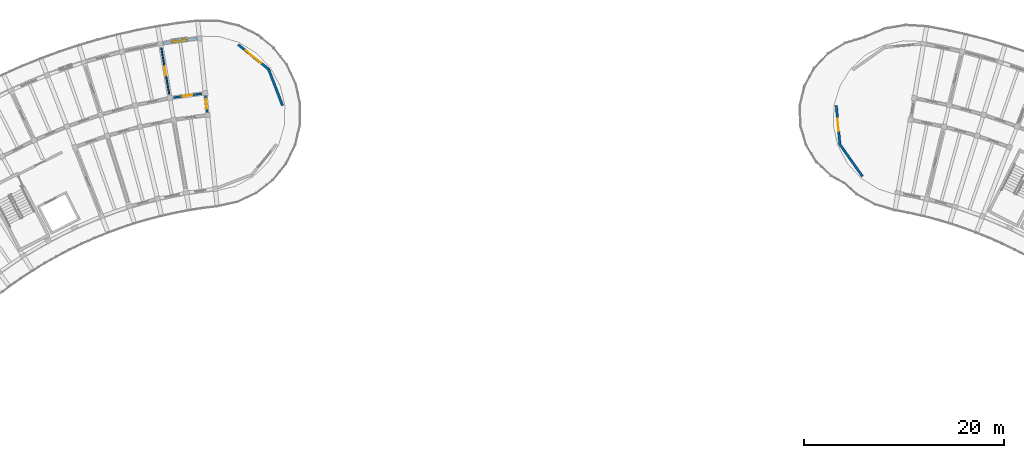
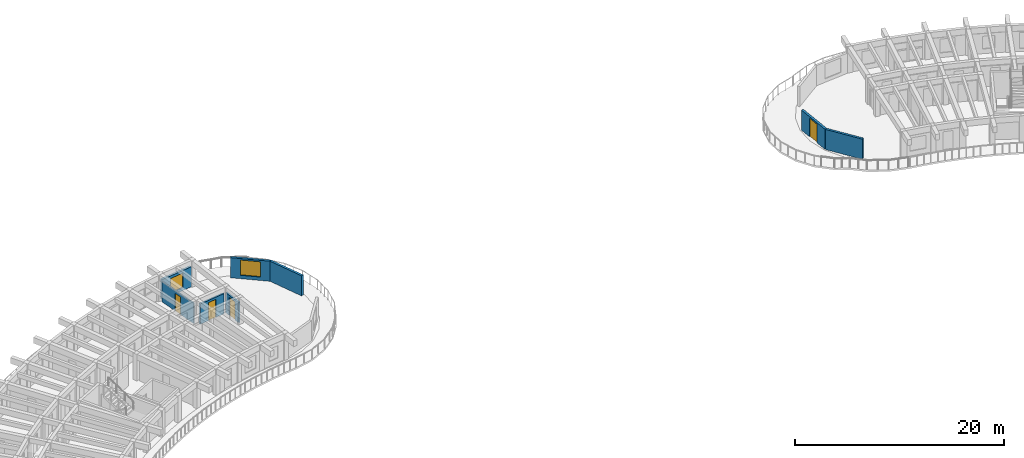
# One storey, part 50 of 83: 8 walls, 4 doors, 2 windows, 6 openings.
"""IFC4 building model written with IfcOpenShell, lengths in metres."""

from ifc_helpers import new_model, si_unit, direction, frame, frame_2d, origin, place, context, subcontext, project, spatial, rectangle, extrude, material, layer, layer_set, type_object, element, fill, save


model = new_model("IFC4")

# Units and contexts
model_context = context("Model", 3, precision=1e-05, world=origin(), true_north=direction((0.0, 1.0)))
body_context = subcontext(model_context, "Body", "Model", "MODEL_VIEW")
ifc_project = project(units=[si_unit("LENGTHUNIT", "METRE"), si_unit("AREAUNIT", "SQUARE_METRE"), si_unit("VOLUMEUNIT", "CUBIC_METRE"), si_unit("PLANEANGLEUNIT", "RADIAN"), si_unit("MASSUNIT", "GRAM", prefix="KILO")], contexts=[model_context])

# Site, building, storey
site_placement = place(None, origin())
site = spatial("IfcSite", under=ifc_project, at=site_placement, CompositionType="ELEMENT")
building_placement = place(site_placement, origin())
building = spatial("IfcBuilding", under=site, at=building_placement, Name="Tanwirah Colonnade Gardens", CompositionType="ELEMENT")
storey_placement = place(building_placement, frame((0.0, 0.0, 25.639892578125)))
storey = spatial("IfcBuildingStorey", under=building, at=storey_placement, Name="L07", CompositionType="ELEMENT", Elevation=25.639892578125)

# Wall
ifc_material_1 = material(Name="Limestone architectural precast concrete C40/50", Category="masonry")
ifc_layer_1 = layer(ifc_material_1, 0.239990234375)
ifc_layer_set_1 = layer_set([ifc_layer_1], Name="Limestone architectural precast concrete C40/50")
wall_type_1 = type_object("IfcWallType", Name="EW-PC240", PredefinedType="SOLIDWALL", material=ifc_layer_set_1)
wall_1_placement = place(storey_placement, frame((125.00048828125, 105.642333984375, 0.0), z_axis=(0.0, 0.0, 1.0), x_axis=(-0.576773939634, 0.816903802512, 0.0)))
element("IfcWall", 1, at=wall_1_placement, inside=storey, type_object=wall_type_1, Name="Block B L07 END Rounded End Wall 1", PredefinedType="SOLIDWALL", context=body_context, shape_type="SweptSolid", body=[
    extrude(rectangle(XDim=3.908203125, YDim=0.239990234375, at=frame_2d((1.9541015625, 0.0))), origin(), (0.0, 0.0, 1.0), 2.355224609375),
])

# Wall, opening, door
wall_2_placement = place(storey_placement, frame((122.746337890625, 108.8349609375, 0.0), z_axis=(0.0, 0.0, 1.0), x_axis=(-0.091020141047, 0.995849051776, 0.0)))
wall_2 = element("IfcWall", 2, at=wall_2_placement, inside=storey, type_object=wall_type_1, Name="Block B L07 END Rounded End Wall 2", PredefinedType="SOLIDWALL", context=body_context, shape_type="SweptSolid", body=[
    extrude(rectangle(XDim=3.907958984375, YDim=0.239990234375, at=frame_2d((1.9541015625, 0.0))), origin(), (0.0, 0.0, 1.0), 2.355224609375),
])
opening_1_placement = place(wall_2_placement, frame((1.32421875, 0.0, 0.0)))
opening_1 = element("IfcOpeningElement", 3, at=opening_1_placement, cuts=wall_2, Name="Opening L07-ED103", PredefinedType="OPENING", context=body_context, shape_type="SweptSolid", body=[
    extrude(rectangle(XDim=1.260009765625, YDim=2.179931640625, at=frame_2d((0.6298828125, 1.08984375))), frame((0.0, 0.1298828125, 0.0), z_axis=(0.0, -1.0, 0.0), x_axis=(1.0, 0.0, 0.0)), (0.0, 0.0, 1.0), 0.260009765625),
])
ifc_material_2 = material(Name="Bronze aluminium glazed terrace door", Category="aluminium")
door_type_1 = type_object("IfcDoorType", Name="ED-TER126", OperationType="NOTDEFINED", PredefinedType="DOOR", material=ifc_material_2)
door_1_placement = place(opening_1_placement, origin())
door_1 = element("IfcDoor", 4, at=door_1_placement, inside=storey, type_object=door_type_1, Name="Stepped corner terrace door L07-ED103", OperationType="SINGLE_SWING_LEFT", OverallHeight=2.179931640625, OverallWidth=1.260009765625, PredefinedType="DOOR", context=body_context, shape_type="SweptSolid", body=[
    extrude(rectangle(XDim=1.260009765625, YDim=2.179931640625, at=frame_2d((0.6298828125, 1.08984375))), frame((0.0, 0.02490234375, 0.0), z_axis=(0.0, -1.0, 0.0), x_axis=(1.0, 0.0, 0.0)), (0.0, 0.0, 1.0), 0.050048828125),
])
fill(opening_1, door_1)

# Wall, opening, window
ifc_layer_2 = layer(ifc_material_1, 0.2451171875)
ifc_layer_set_2 = layer_set([ifc_layer_2], Name="Limestone architectural precast concrete C40/50")
wall_type_2 = type_object("IfcWallType", Name="EW-PC245", PredefinedType="SOLIDWALL", material=ifc_layer_set_2)
wall_3_placement = place(storey_placement, frame((58.557373046875, 119.3935546875, 0.0), z_axis=(0.0, 0.0, 1.0), x_axis=(-0.990539646188, -0.137226853528, 0.0)))
wall_3 = element("IfcWall", 5, at=wall_3_placement, inside=storey, type_object=wall_type_2, Name="Block A L07 OUT Precast Facade Wall 0", PredefinedType="SOLIDWALL", context=body_context, shape_type="SweptSolid", body=[
    extrude(rectangle(XDim=3.545654296875, YDim=0.2451171875, at=frame_2d((1.77294921875, 0.0))), origin(), (0.0, 0.0, 1.0), 2.355224609375),
])
opening_2_placement = place(wall_3_placement, frame((1.022705078125, 0.0, 0.35009765625)))
opening_2 = element("IfcOpeningElement", 6, at=opening_2_placement, cuts=wall_3, Name="Opening WIN-T08", PredefinedType="OPENING", context=body_context, shape_type="SweptSolid", body=[
    extrude(rectangle(XDim=1.5, YDim=1.699951171875, at=frame_2d((0.75, 0.85009765625))), frame((0.0, 0.132568359375, 0.0), z_axis=(0.0, -1.0, 0.0), x_axis=(1.0, 0.0, 0.0)), (0.0, 0.0, 1.0), 0.26513671875),
])
ifc_material_3 = material(Name="Thermally broken bronze aluminium and solar low-E double glazing", Category="aluminium")
window_type_1 = type_object("IfcWindowType", Name="WIN-T08", PartitioningType="DOUBLE_PANEL_VERTICAL", PredefinedType="WINDOW", material=ifc_material_3)
window_1_placement = place(opening_2_placement, origin())
window_1 = element("IfcWindow", 7, at=window_1_placement, inside=storey, type_object=window_type_1, Name="Facade window A-L07-OUT-00", OverallHeight=1.699951171875, OverallWidth=1.5, PartitioningType="SINGLE_PANEL", PredefinedType="WINDOW", context=body_context, shape_type="SweptSolid", body=[
    extrude(rectangle(XDim=1.5, YDim=1.699951171875, at=frame_2d((0.75, 0.85009765625))), frame((0.0, 0.030029296875, 0.0), z_axis=(0.0, -1.0, 0.0), x_axis=(1.0, 0.0, 0.0)), (0.0, 0.0, 1.0), 0.06005859375),
])
fill(opening_2, window_1)

wall_4_placement = place(storey_placement, frame((62.635498046875, 118.8125, 0.0), z_axis=(0.0, 0.0, 1.0), x_axis=(0.777137204109, -0.629331205321, 0.0)))
wall_4 = element("IfcWall", 8, at=wall_4_placement, inside=storey, type_object=wall_type_2, Name="Block A L07 START Rounded End Wall 1", PredefinedType="SOLIDWALL", context=body_context, shape_type="SweptSolid", body=[
    extrude(rectangle(XDim=3.907958984375, YDim=0.2451171875, at=frame_2d((1.9541015625, 0.0))), origin(), (0.0, 0.0, 1.0), 2.355224609375),
])
opening_3_placement = place(wall_4_placement, frame((0.97900390625, 0.0, 0.39990234375)))
opening_3 = element("IfcOpeningElement", 9, at=opening_3_placement, cuts=wall_4, Name="Opening WIN-END2", PredefinedType="OPENING", context=body_context, shape_type="SweptSolid", body=[
    extrude(rectangle(XDim=1.949951171875, YDim=1.780029296875, at=frame_2d((0.97509765625, 0.89013671875))), frame((0.0, 0.132568359375, 0.0), z_axis=(0.0, -1.0, 0.0), x_axis=(1.0, 0.0, 0.0)), (0.0, 0.0, 1.0), 0.26513671875),
])
window_type_2 = type_object("IfcWindowType", Name="WIN-END2", PartitioningType="TRIPLE_PANEL_VERTICAL", PredefinedType="WINDOW", material=ifc_material_3)
window_2_placement = place(opening_3_placement, origin())
window_2 = element("IfcWindow", 10, at=window_2_placement, inside=storey, type_object=window_type_2, Name="Rounded corner window A-L07-START-1", OverallHeight=1.780029296875, OverallWidth=1.949951171875, PartitioningType="SINGLE_PANEL", PredefinedType="WINDOW", context=body_context, shape_type="SweptSolid", body=[
    extrude(rectangle(XDim=1.949951171875, YDim=1.780029296875, at=frame_2d((0.97509765625, 0.89013671875))), frame((0.0, 0.030029296875, 0.0), z_axis=(0.0, -1.0, 0.0), x_axis=(1.0, 0.0, 0.0)), (0.0, 0.0, 1.0), 0.06005859375),
])
fill(opening_3, window_2)

# Wall
wall_5_placement = place(storey_placement, frame((65.672607421875, 116.35302734375, 0.0), z_axis=(0.0, 0.0, 1.0), x_axis=(0.358376224971, -0.933577249817, 0.0)))
element("IfcWall", 11, at=wall_5_placement, inside=storey, type_object=wall_type_2, Name="Block A L07 START Rounded End Wall 2", PredefinedType="SOLIDWALL", context=body_context, shape_type="SweptSolid", body=[
    extrude(rectangle(XDim=3.908203125, YDim=0.2451171875, at=frame_2d((1.9541015625, 0.0))), origin(), (0.0, 0.0, 1.0), 2.355224609375),
])

# Wall, opening, door
ifc_material_4 = material(Name="Precast concrete C40/50", Category="concrete")
ifc_layer_3 = layer(ifc_material_4, 0.205078125)
ifc_layer_set_3 = layer_set([ifc_layer_3], Name="Precast concrete C40/50")
wall_type_3 = type_object("IfcWallType", Name="IW-CORR205", PredefinedType="PARTITIONING", material=ifc_layer_set_3)
wall_6_placement = place(storey_placement, frame((59.003662109375, 113.90576171875, 0.0), z_axis=(0.0, 0.0, 1.0), x_axis=(-0.990544162976, -0.137194246211, 0.0)))
wall_6 = element("IfcWall", 12, at=wall_6_placement, inside=storey, type_object=wall_type_3, Name="Block A L07 OUT Corridor Wall 0", PredefinedType="PARTITIONING", context=body_context, shape_type="SweptSolid", body=[
    extrude(rectangle(XDim=2.86328125, YDim=0.205078125, at=frame_2d((1.431640625, 0.0))), origin(), (0.0, 0.0, 1.0), 2.3701171875),
])
opening_4_placement = place(wall_6_placement, frame((0.966552734375, 0.0, 0.0)))
opening_4 = element("IfcOpeningElement", 13, at=opening_4_placement, cuts=wall_6, Name="Opening L07-AD515", PredefinedType="OPENING", context=body_context, shape_type="SweptSolid", body=[
    extrude(rectangle(XDim=0.929931640625, YDim=2.1201171875, at=frame_2d((0.46484375, 1.06005859375))), frame((0.0, 0.112548828125, 0.0), z_axis=(0.0, -1.0, 0.0), x_axis=(1.0, 0.0, 0.0)), (0.0, 0.0, 1.0), 0.22509765625),
])
ifc_material_5 = material(Name="Solid oak fire-resisting apartment entrance door")
door_type_2 = type_object("IfcDoorType", Name="ID-FLT093", OperationType="NOTDEFINED", PredefinedType="DOOR", material=ifc_material_5)
door_2_placement = place(opening_4_placement, origin())
door_2 = element("IfcDoor", 14, at=door_2_placement, inside=storey, type_object=door_type_2, Name="Apartment corridor door L07-AD515", OperationType="SINGLE_SWING_RIGHT", OverallHeight=2.1201171875, OverallWidth=0.929931640625, PredefinedType="DOOR", context=body_context, shape_type="SweptSolid", body=[
    extrude(rectangle(XDim=0.929931640625, YDim=2.1201171875, at=frame_2d((0.46484375, 1.06005859375))), frame((0.0, 0.02490234375, 0.0), z_axis=(0.0, -1.0, 0.0), x_axis=(1.0, 0.0, 0.0)), (0.0, 0.0, 1.0), 0.050048828125),
])
fill(opening_4, door_2)

wall_7_placement = place(storey_placement, frame((59.574951171875, 111.815673828125, 0.0), z_axis=(0.0, 0.0, 1.0), x_axis=(-0.104509292252, 0.994523910136, 0.0)))
wall_7 = element("IfcWall", 15, at=wall_7_placement, inside=storey, type_object=wall_type_3, Name="Block A L07 CS Corner Suite Corridor Wall", PredefinedType="PARTITIONING", context=body_context, shape_type="SweptSolid", body=[
    extrude(rectangle(XDim=2.10009765625, YDim=0.205078125, at=frame_2d((1.050048828125, 0.0))), origin(), (0.0, 0.0, 1.0), 2.3701171875),
])
opening_5_placement = place(wall_7_placement, frame((0.570068359375, 0.0, 0.0)))
opening_5 = element("IfcOpeningElement", 16, at=opening_5_placement, cuts=wall_7, Name="Opening L07-CD555", PredefinedType="OPENING", context=body_context, shape_type="SweptSolid", body=[
    extrude(rectangle(XDim=0.949951171875, YDim=2.1298828125, at=frame_2d((0.47509765625, 1.06494140625))), frame((0.0, 0.112548828125, 0.0), z_axis=(0.0, -1.0, 0.0), x_axis=(1.0, 0.0, 0.0)), (0.0, 0.0, 1.0), 0.22509765625),
])
door_type_3 = type_object("IfcDoorType", Name="ID-FLT095", OperationType="NOTDEFINED", PredefinedType="DOOR", material=ifc_material_5)
door_3_placement = place(opening_5_placement, origin())
door_3 = element("IfcDoor", 17, at=door_3_placement, inside=storey, type_object=door_type_3, Name="Corner suite entrance door L07-CD555", OperationType="SINGLE_SWING_LEFT", OverallHeight=2.1298828125, OverallWidth=0.949951171875, PredefinedType="DOOR", context=body_context, shape_type="SweptSolid", body=[
    extrude(rectangle(XDim=0.949951171875, YDim=2.1298828125, at=frame_2d((0.47509765625, 1.06494140625))), frame((0.0, 0.02490234375, 0.0), z_axis=(0.0, -1.0, 0.0), x_axis=(1.0, 0.0, 0.0)), (0.0, 0.0, 1.0), 0.050048828125),
])
fill(opening_5, door_3)

ifc_material_6 = material(Name="Water-resistant acoustic plumbing partition")
ifc_layer_4 = layer(ifc_material_6, 0.139892578125)
ifc_layer_set_4 = layer_set([ifc_layer_4], Name="Water-resistant acoustic plumbing partition")
wall_type_4 = type_object("IfcWallType", Name="IW-WET140", PredefinedType="PLUMBINGWALL", material=ifc_layer_set_4)
wall_8_placement = place(storey_placement, frame((55.7529296875, 113.859130859375, 0.0), z_axis=(0.0, 0.0, 1.0), x_axis=(-0.169812980219, 0.985476307046, 0.0)))
wall_8 = element("IfcWall", 18, at=wall_8_placement, inside=storey, type_object=wall_type_4, Name="Block A L07 Radial Partition 0", PredefinedType="PLUMBINGWALL", context=body_context, shape_type="SweptSolid", body=[
    extrude(rectangle(XDim=4.699951171875, YDim=0.139892578125, at=frame_2d((2.35009765625, 0.0))), origin(), (0.0, 0.0, 1.0), 2.3701171875),
])
opening_6_placement = place(wall_8_placement, frame((1.919921875, 0.0, 0.0)))
opening_6 = element("IfcOpeningElement", 19, at=opening_6_placement, cuts=wall_8, Name="Opening L07-RD517", PredefinedType="OPENING", context=body_context, shape_type="SweptSolid", body=[
    extrude(rectangle(XDim=0.860107421875, YDim=2.06005859375, at=frame_2d((0.43017578125, 1.030029296875))), frame((0.0, 0.079833984375, 0.0), z_axis=(0.0, -1.0, 0.0), x_axis=(1.0, 0.0, 0.0)), (0.0, 0.0, 1.0), 0.159912109375),
])
ifc_material_7 = material(Name="Moisture-resistant bathroom door")
door_type_4 = type_object("IfcDoorType", Name="ID-WET086", OperationType="NOTDEFINED", PredefinedType="DOOR", material=ifc_material_7)
door_4_placement = place(opening_6_placement, origin())
door_4 = element("IfcDoor", 20, at=door_4_placement, inside=storey, type_object=door_type_4, Name="Internal apartment door L07-RD517", OperationType="SINGLE_SWING_RIGHT", OverallHeight=2.06005859375, OverallWidth=0.860107421875, PredefinedType="DOOR", context=body_context, shape_type="SweptSolid", body=[
    extrude(rectangle(XDim=0.860107421875, YDim=2.06005859375, at=frame_2d((0.43017578125, 1.030029296875))), frame((0.0, 0.02490234375, 0.0), z_axis=(0.0, -1.0, 0.0), x_axis=(1.0, 0.0, 0.0)), (0.0, 0.0, 1.0), 0.050048828125),
])
fill(opening_6, door_4)

save(model, "model.ifc")
